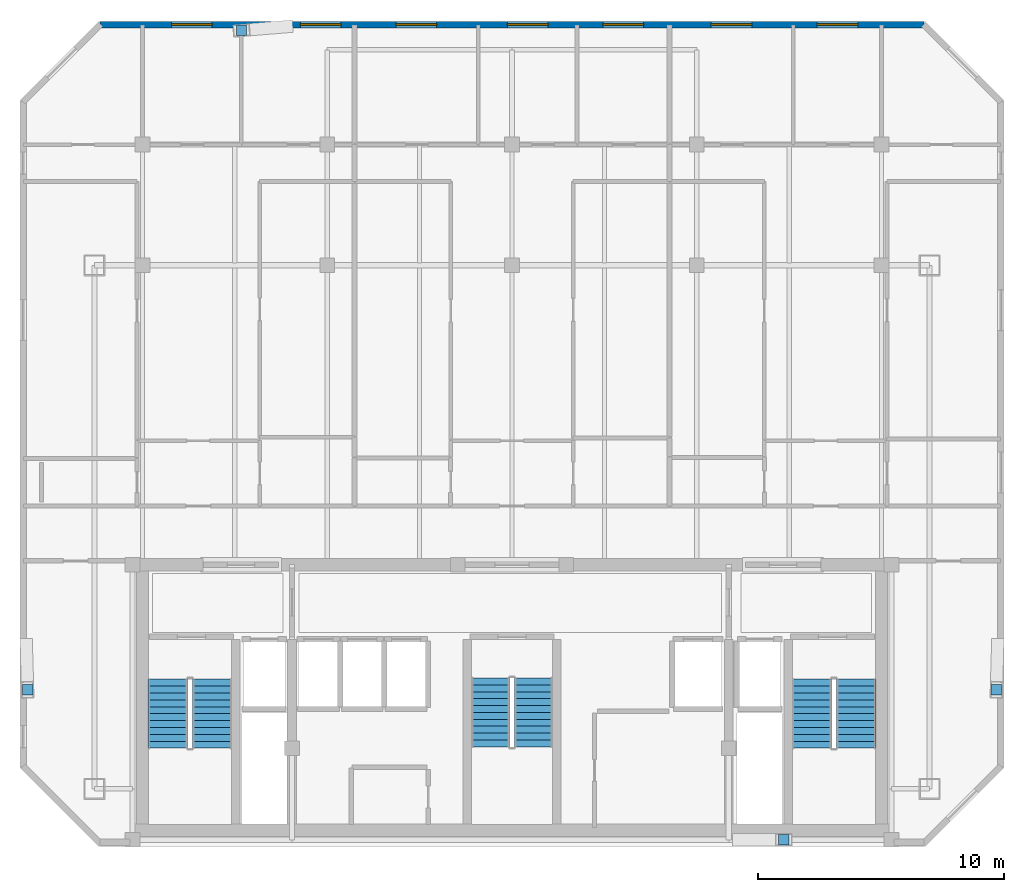
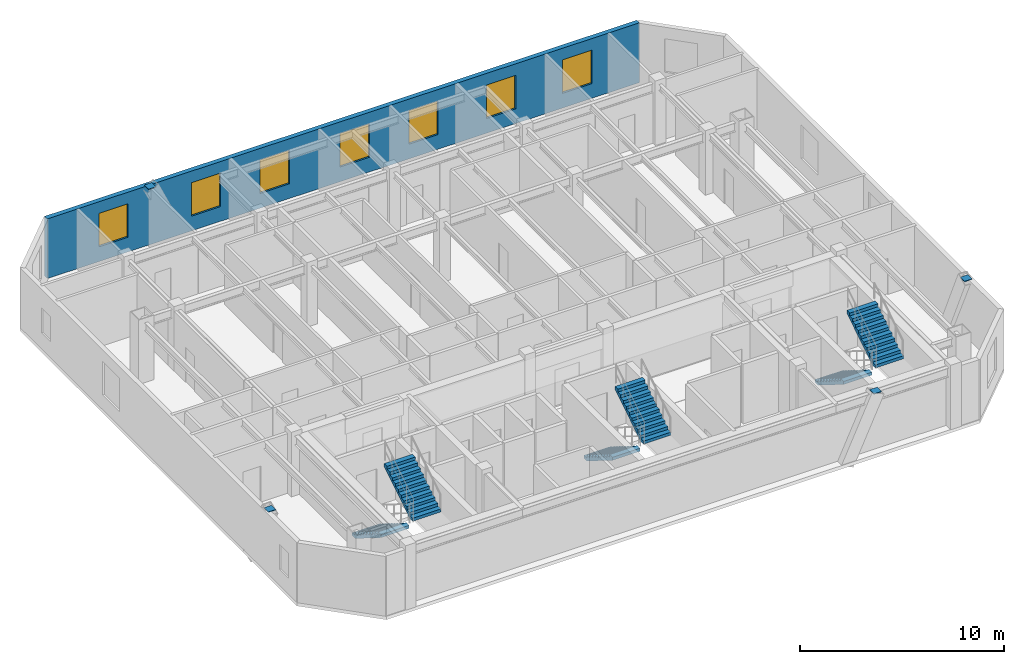
# One storey, part 6 of 7: 7 windows, 6 stair flights, 4 discrete accessories, 1 wall, 7 openings, 3 elements without a shape of their own.
"""IFC4 building model written with IfcOpenShell, lengths in metres."""

from ifc_helpers import new_model, si_unit, direction, frame, frame_2d, origin, origin_2d, place, context, subcontext, project, spatial, polyline, rectangle, outline, extrude, material, layer, layer_set, type_object, element, fill, aggregate, save


model = new_model("IFC4")

# Units and contexts
model_context = context("Model", 3, precision=1e-05, world=origin(), true_north=direction((0.0, 1.0)))
body_context = subcontext(model_context, "Body", "Model", "MODEL_VIEW")
ifc_project = project(units=[si_unit("LENGTHUNIT", "METRE"), si_unit("AREAUNIT", "SQUARE_METRE"), si_unit("VOLUMEUNIT", "CUBIC_METRE"), si_unit("PLANEANGLEUNIT", "RADIAN"), si_unit("MASSUNIT", "GRAM", prefix="KILO")], contexts=[model_context])

# Site, building, storey
site_placement = place(None, origin())
site = spatial("IfcSite", under=ifc_project, at=site_placement, CompositionType="ELEMENT")
building_placement = place(site_placement, origin())
building = spatial("IfcBuilding", under=site, at=building_placement, Name="Ventersveld Concourse Tower", CompositionType="ELEMENT")
storey_placement = place(building_placement, frame((0.0, 0.0, 304.14990234375)))
storey = spatial("IfcBuildingStorey", under=building, at=storey_placement, Name="L75", CompositionType="ELEMENT", Elevation=304.14990234375)

# Wall, openings, windows
ifc_material_1 = material(Name="Precast concrete C45/55", Category="concrete")
ifc_layer = layer(ifc_material_1, 0.260009765625)
ifc_layer_set = layer_set([ifc_layer], Name="Precast concrete C45/55")
wall_type = type_object("IfcWallType", Name="WL-PREC-260", PredefinedType="SOLIDWALL", material=ifc_layer_set)
wall_placement = place(storey_placement, frame((45.480224609375, 33.368896484375, 0.0), z_axis=(0.0, 0.0, 1.0), x_axis=(-1.0, 0.0, 0.0)))
wall = element("IfcWall", 1, at=wall_placement, inside=storey, type_object=wall_type, Name="L75 Highveld Precast Facade Wall E05", PredefinedType="SOLIDWALL", context=body_context, shape_type="SweptSolid", body=[
    extrude(rectangle(XDim=33.46044921875, YDim=0.260009765625, at=frame_2d((16.730224609375, 0.0))), origin(), (0.0, 0.0, 1.0), 3.570068359375),
])
opening_1_placement = place(wall_placement, frame((28.901611328125, 0.0, 0.8798828125)))
opening_1 = element("IfcOpeningElement", 2, at=opening_1_placement, cuts=wall, Name="Opening W6", PredefinedType="OPENING", context=body_context, shape_type="SweptSolid", body=[
    extrude(rectangle(XDim=1.64990234375, YDim=2.0, at=frame_2d((0.824951171875, 1.0))), frame((0.0, 0.14013671875, 0.0), z_axis=(0.0, -1.0, 0.0), x_axis=(1.0, 0.0, 0.0)), (0.0, 0.0, 1.0), 0.280029296875),
])
opening_2_placement = place(wall_placement, frame((23.67431640625, 0.0, 0.8798828125)))
opening_2 = element("IfcOpeningElement", 3, at=opening_2_placement, cuts=wall, Name="Opening W6", PredefinedType="OPENING", context=body_context, shape_type="SweptSolid", body=[
    extrude(rectangle(XDim=1.64990234375, YDim=2.0, at=frame_2d((0.824951171875, 1.0))), frame((0.0, 0.14013671875, 0.0), z_axis=(0.0, -1.0, 0.0), x_axis=(1.0, 0.0, 0.0)), (0.0, 0.0, 1.0), 0.280029296875),
])
opening_3_placement = place(wall_placement, frame((19.784912109375, 0.0, 0.8798828125)))
opening_3 = element("IfcOpeningElement", 4, at=opening_3_placement, cuts=wall, Name="Opening W6", PredefinedType="OPENING", context=body_context, shape_type="SweptSolid", body=[
    extrude(rectangle(XDim=1.64990234375, YDim=2.0, at=frame_2d((0.824951171875, 1.0))), frame((0.0, 0.14013671875, 0.0), z_axis=(0.0, -1.0, 0.0), x_axis=(1.0, 0.0, 0.0)), (0.0, 0.0, 1.0), 0.280029296875),
])
opening_4_placement = place(wall_placement, frame((15.267333984375, 0.0, 0.8798828125)))
opening_4 = element("IfcOpeningElement", 5, at=opening_4_placement, cuts=wall, Name="Opening W6", PredefinedType="OPENING", context=body_context, shape_type="SweptSolid", body=[
    extrude(rectangle(XDim=1.64990234375, YDim=2.0, at=frame_2d((0.824951171875, 1.0))), frame((0.0, 0.14013671875, 0.0), z_axis=(0.0, -1.0, 0.0), x_axis=(1.0, 0.0, 0.0)), (0.0, 0.0, 1.0), 0.280029296875),
])
opening_5_placement = place(wall_placement, frame((11.3876953125, 0.0, 0.8798828125)))
opening_5 = element("IfcOpeningElement", 6, at=opening_5_placement, cuts=wall, Name="Opening W6", PredefinedType="OPENING", context=body_context, shape_type="SweptSolid", body=[
    extrude(rectangle(XDim=1.64990234375, YDim=2.0, at=frame_2d((0.824951171875, 1.0))), frame((0.0, 0.14013671875, 0.0), z_axis=(0.0, -1.0, 0.0), x_axis=(1.0, 0.0, 0.0)), (0.0, 0.0, 1.0), 0.280029296875),
])
opening_6_placement = place(wall_placement, frame((6.997802734375, 0.0, 0.8798828125)))
opening_6 = element("IfcOpeningElement", 7, at=opening_6_placement, cuts=wall, Name="Opening W6", PredefinedType="OPENING", context=body_context, shape_type="SweptSolid", body=[
    extrude(rectangle(XDim=1.64990234375, YDim=2.0, at=frame_2d((0.824951171875, 1.0))), frame((0.0, 0.14013671875, 0.0), z_axis=(0.0, -1.0, 0.0), x_axis=(1.0, 0.0, 0.0)), (0.0, 0.0, 1.0), 0.280029296875),
])
opening_7_placement = place(wall_placement, frame((2.694580078125, 0.0, 0.8798828125)))
opening_7 = element("IfcOpeningElement", 8, at=opening_7_placement, cuts=wall, Name="Opening W6", PredefinedType="OPENING", context=body_context, shape_type="SweptSolid", body=[
    extrude(rectangle(XDim=1.64990234375, YDim=2.0, at=frame_2d((0.824951171875, 1.0))), frame((0.0, 0.14013671875, 0.0), z_axis=(0.0, -1.0, 0.0), x_axis=(1.0, 0.0, 0.0)), (0.0, 0.0, 1.0), 0.280029296875),
])
ifc_material_2 = material(Name="Tempered acoustic Low-E IGU", Category="glass")
window_type = type_object("IfcWindowType", Name="WIN-165x200", PartitioningType="SINGLE_PANEL", PredefinedType="WINDOW", material=ifc_material_2)
window_1_placement = place(opening_1_placement, origin())
window_1 = element("IfcWindow", 9, at=window_1_placement, inside=storey, type_object=window_type, Name="L75 Punched Low-E Window W-1067", OverallHeight=2.0, OverallWidth=1.64990234375, PartitioningType="SINGLE_PANEL", PredefinedType="WINDOW", context=body_context, shape_type="SweptSolid", body=[
    extrude(rectangle(XDim=1.64990234375, YDim=2.0, at=frame_2d((0.824951171875, 1.0))), frame((0.0, 0.030029296875, 0.0), z_axis=(0.0, -1.0, 0.0), x_axis=(1.0, 0.0, 0.0)), (0.0, 0.0, 1.0), 0.06005859375),
])
fill(opening_1, window_1)
window_2_placement = place(opening_2_placement, origin())
window_2 = element("IfcWindow", 10, at=window_2_placement, inside=storey, type_object=window_type, Name="L75 Punched Low-E Window W-1068", OverallHeight=2.0, OverallWidth=1.64990234375, PartitioningType="SINGLE_PANEL", PredefinedType="WINDOW", context=body_context, shape_type="SweptSolid", body=[
    extrude(rectangle(XDim=1.64990234375, YDim=2.0, at=frame_2d((0.824951171875, 1.0))), frame((0.0, 0.030029296875, 0.0), z_axis=(0.0, -1.0, 0.0), x_axis=(1.0, 0.0, 0.0)), (0.0, 0.0, 1.0), 0.06005859375),
])
fill(opening_2, window_2)
window_3_placement = place(opening_3_placement, origin())
window_3 = element("IfcWindow", 11, at=window_3_placement, inside=storey, type_object=window_type, Name="L75 Punched Low-E Window W-1069", OverallHeight=2.0, OverallWidth=1.64990234375, PartitioningType="SINGLE_PANEL", PredefinedType="WINDOW", context=body_context, shape_type="SweptSolid", body=[
    extrude(rectangle(XDim=1.64990234375, YDim=2.0, at=frame_2d((0.824951171875, 1.0))), frame((0.0, 0.030029296875, 0.0), z_axis=(0.0, -1.0, 0.0), x_axis=(1.0, 0.0, 0.0)), (0.0, 0.0, 1.0), 0.06005859375),
])
fill(opening_3, window_3)
window_4_placement = place(opening_4_placement, origin())
window_4 = element("IfcWindow", 12, at=window_4_placement, inside=storey, type_object=window_type, Name="L75 Punched Low-E Window W-1070", OverallHeight=2.0, OverallWidth=1.64990234375, PartitioningType="SINGLE_PANEL", PredefinedType="WINDOW", context=body_context, shape_type="SweptSolid", body=[
    extrude(rectangle(XDim=1.64990234375, YDim=2.0, at=frame_2d((0.824951171875, 1.0))), frame((0.0, 0.030029296875, 0.0), z_axis=(0.0, -1.0, 0.0), x_axis=(1.0, 0.0, 0.0)), (0.0, 0.0, 1.0), 0.06005859375),
])
fill(opening_4, window_4)
window_5_placement = place(opening_5_placement, origin())
window_5 = element("IfcWindow", 13, at=window_5_placement, inside=storey, type_object=window_type, Name="L75 Punched Low-E Window W-1071", OverallHeight=2.0, OverallWidth=1.64990234375, PartitioningType="SINGLE_PANEL", PredefinedType="WINDOW", context=body_context, shape_type="SweptSolid", body=[
    extrude(rectangle(XDim=1.64990234375, YDim=2.0, at=frame_2d((0.824951171875, 1.0))), frame((0.0, 0.030029296875, 0.0), z_axis=(0.0, -1.0, 0.0), x_axis=(1.0, 0.0, 0.0)), (0.0, 0.0, 1.0), 0.06005859375),
])
fill(opening_5, window_5)
window_6_placement = place(opening_6_placement, origin())
window_6 = element("IfcWindow", 14, at=window_6_placement, inside=storey, type_object=window_type, Name="L75 Punched Low-E Window W-1075", OverallHeight=2.0, OverallWidth=1.64990234375, PartitioningType="SINGLE_PANEL", PredefinedType="WINDOW", context=body_context, shape_type="SweptSolid", body=[
    extrude(rectangle(XDim=1.64990234375, YDim=2.0, at=frame_2d((0.824951171875, 1.0))), frame((0.0, 0.030029296875, 0.0), z_axis=(0.0, -1.0, 0.0), x_axis=(1.0, 0.0, 0.0)), (0.0, 0.0, 1.0), 0.06005859375),
])
fill(opening_6, window_6)
window_7_placement = place(opening_7_placement, origin())
window_7 = element("IfcWindow", 15, at=window_7_placement, inside=storey, type_object=window_type, Name="L75 Punched Low-E Window W-1076", OverallHeight=2.0, OverallWidth=1.64990234375, PartitioningType="SINGLE_PANEL", PredefinedType="WINDOW", context=body_context, shape_type="SweptSolid", body=[
    extrude(rectangle(XDim=1.64990234375, YDim=2.0, at=frame_2d((0.824951171875, 1.0))), frame((0.0, 0.030029296875, 0.0), z_axis=(0.0, -1.0, 0.0), x_axis=(1.0, 0.0, 0.0)), (0.0, 0.0, 1.0), 0.06005859375),
])
fill(opening_7, window_7)

# Stair, stair flights
ifc_material_3 = material(Name="Concrete C50/60", Category="concrete")
stair_type_1 = type_object("IfcStairType", Name="ST-DOG-155", PredefinedType="HALF_TURN_STAIR", material=ifc_material_3)
stair_1_placement = place(storey_placement, origin())
stair_1 = element("IfcStair", 16, at=stair_1_placement, inside=storey, type_object=stair_type_1, Name="L75 Protected Central Core Escape Stair ST-03", PredefinedType="HALF_TURN_STAIR")
stair_flight_type_1 = type_object("IfcStairFlightType", Name="STF-RC-155", PredefinedType="STRAIGHT", material=ifc_material_3)
stair_flight_1_placement = place(storey_placement, frame((27.875, 6.85009765625, 0.0), z_axis=(0.0, 0.0, 1.0), x_axis=(0.0, -1.0, 0.0)))
stair_flight_1 = element("IfcStairFlight", 17, at=stair_flight_1_placement, type_object=stair_flight_type_1, Name="ST-03 flight 1", NumberOfRisers=11, NumberOfTreads=10, PredefinedType="STRAIGHT", RiserHeight=0.175, TreadLength=0.28, context=body_context, shape_type="SweptSolid", body=[
    extrude(outline(polyline([(0.0, 0.0), (0.0, 0.175048828125), (0.280029296875, 0.175048828125), (0.280029296875, 0.35009765625), (0.56005859375, 0.35009765625), (0.56005859375, 0.52490234375), (0.840087890625, 0.52490234375), (0.840087890625, 0.699951171875), (1.1201171875, 0.699951171875), (1.1201171875, 0.875), (1.39990234375, 0.875), (1.39990234375, 1.050048828125), (1.679931640625, 1.050048828125), (1.679931640625, 1.22509765625), (1.9599609375, 1.22509765625), (1.9599609375, 1.39990234375), (2.239990234375, 1.39990234375), (2.239990234375, 1.574951171875), (2.52001953125, 1.574951171875), (2.52001953125, 1.75), (2.800048828125, 1.75), (2.800048828125, 1.925048828125), (2.800048828125, 1.5732421875), (0.28271484375, 0.0), (0.0, 0.0)])), frame((0.0, 0.77490234375, 0.0), z_axis=(0.0, -1.0, 0.0), x_axis=(1.0, 0.0, 0.0)), (0.0, 0.0, 1.0), 1.550048828125),
])
stair_flight_2_placement = place(storey_placement, frame((29.625, 4.050048828125, 1.925048828125), z_axis=(0.0, 0.0, 1.0), x_axis=(0.0, 1.0, 0.0)))
stair_flight_2 = element("IfcStairFlight", 18, at=stair_flight_2_placement, type_object=stair_flight_type_1, Name="ST-03 flight 2", NumberOfRisers=11, NumberOfTreads=10, PredefinedType="STRAIGHT", RiserHeight=0.175, TreadLength=0.28, context=body_context, shape_type="SweptSolid", body=[
    extrude(outline(polyline([(0.0, 0.0), (0.0, 0.175048828125), (0.280029296875, 0.175048828125), (0.280029296875, 0.35009765625), (0.56005859375, 0.35009765625), (0.56005859375, 0.52490234375), (0.840087890625, 0.52490234375), (0.840087890625, 0.699951171875), (1.1201171875, 0.699951171875), (1.1201171875, 0.875), (1.39990234375, 0.875), (1.39990234375, 1.050048828125), (1.679931640625, 1.050048828125), (1.679931640625, 1.22509765625), (1.9599609375, 1.22509765625), (1.9599609375, 1.39990234375), (2.239990234375, 1.39990234375), (2.239990234375, 1.574951171875), (2.52001953125, 1.574951171875), (2.52001953125, 1.75), (2.800048828125, 1.75), (2.800048828125, 1.925048828125), (2.800048828125, 1.5732421875), (0.28271484375, 0.0), (0.0, 0.0)])), frame((0.0, 0.77490234375, 0.0), z_axis=(0.0, -1.0, 0.0), x_axis=(1.0, 0.0, 0.0)), (0.0, 0.0, 1.0), 1.550048828125),
])
aggregate(stair_1, [stair_flight_1, stair_flight_2])

stair_type_2 = type_object("IfcStairType", Name="ST-DOG-160", PredefinedType="HALF_TURN_STAIR", material=ifc_material_3)
stair_2_placement = place(storey_placement, origin())
stair_2 = element("IfcStair", 19, at=stair_2_placement, inside=storey, type_object=stair_type_2, Name="L75 Protected Tower Escape Stair ST-01", PredefinedType="HALF_TURN_STAIR")
stair_flight_type_2 = type_object("IfcStairFlightType", Name="STF-RC-160", PredefinedType="STRAIGHT", material=ifc_material_3)
stair_flight_3_placement = place(storey_placement, frame((14.780029296875, 6.800048828125, 0.0), z_axis=(0.0, 0.0, 1.0), x_axis=(0.0, -1.0, 0.0)))
stair_flight_3 = element("IfcStairFlight", 20, at=stair_flight_3_placement, type_object=stair_flight_type_2, Name="ST-01 flight 1", NumberOfRisers=11, NumberOfTreads=10, PredefinedType="STRAIGHT", RiserHeight=0.175, TreadLength=0.28, context=body_context, shape_type="SweptSolid", body=[
    extrude(outline(polyline([(0.0, 0.0), (0.0, 0.175048828125), (0.280029296875, 0.175048828125), (0.280029296875, 0.35009765625), (0.56005859375, 0.35009765625), (0.56005859375, 0.52490234375), (0.840087890625, 0.52490234375), (0.840087890625, 0.699951171875), (1.1201171875, 0.699951171875), (1.1201171875, 0.875), (1.39990234375, 0.875), (1.39990234375, 1.050048828125), (1.679931640625, 1.050048828125), (1.679931640625, 1.22509765625), (1.9599609375, 1.22509765625), (1.9599609375, 1.39990234375), (2.239990234375, 1.39990234375), (2.239990234375, 1.574951171875), (2.52001953125, 1.574951171875), (2.52001953125, 1.75), (2.800048828125, 1.75), (2.800048828125, 1.925048828125), (2.800048828125, 1.5732421875), (0.28271484375, 0.0), (0.0, 0.0)])), frame((0.0, 0.800048828125, 0.0), z_axis=(0.0, -1.0, 0.0), x_axis=(1.0, 0.0, 0.0)), (0.0, 0.0, 1.0), 1.60009765625),
])
stair_flight_4_placement = place(storey_placement, frame((16.580078125, 4.0, 1.925048828125), z_axis=(0.0, 0.0, 1.0), x_axis=(0.0, 1.0, 0.0)))
stair_flight_4 = element("IfcStairFlight", 21, at=stair_flight_4_placement, type_object=stair_flight_type_2, Name="ST-01 flight 2", NumberOfRisers=11, NumberOfTreads=10, PredefinedType="STRAIGHT", RiserHeight=0.175, TreadLength=0.28, context=body_context, shape_type="SweptSolid", body=[
    extrude(outline(polyline([(0.0, 0.0), (0.0, 0.175048828125), (0.280029296875, 0.175048828125), (0.280029296875, 0.35009765625), (0.56005859375, 0.35009765625), (0.56005859375, 0.52490234375), (0.840087890625, 0.52490234375), (0.840087890625, 0.699951171875), (1.1201171875, 0.699951171875), (1.1201171875, 0.875), (1.39990234375, 0.875), (1.39990234375, 1.050048828125), (1.679931640625, 1.050048828125), (1.679931640625, 1.22509765625), (1.9599609375, 1.22509765625), (1.9599609375, 1.39990234375), (2.239990234375, 1.39990234375), (2.239990234375, 1.574951171875), (2.52001953125, 1.574951171875), (2.52001953125, 1.75), (2.800048828125, 1.75), (2.800048828125, 1.925048828125), (2.800048828125, 1.5732421875), (0.28271484375, 0.0), (0.0, 0.0)])), frame((0.0, 0.800048828125, 0.0), z_axis=(0.0, -1.0, 0.0), x_axis=(1.0, 0.0, 0.0)), (0.0, 0.0, 1.0), 1.60009765625),
])
aggregate(stair_2, [stair_flight_3, stair_flight_4])

stair_3_placement = place(storey_placement, origin())
stair_3 = element("IfcStair", 22, at=stair_3_placement, inside=storey, type_object=stair_type_2, Name="L75 Protected Tower Escape Stair ST-02", PredefinedType="HALF_TURN_STAIR")
stair_flight_5_placement = place(storey_placement, frame((40.919921875, 6.800048828125, 0.0), z_axis=(0.0, 0.0, 1.0), x_axis=(0.0, -1.0, 0.0)))
stair_flight_5 = element("IfcStairFlight", 23, at=stair_flight_5_placement, type_object=stair_flight_type_2, Name="ST-02 flight 1", NumberOfRisers=11, NumberOfTreads=10, PredefinedType="STRAIGHT", RiserHeight=0.175, TreadLength=0.28, context=body_context, shape_type="SweptSolid", body=[
    extrude(outline(polyline([(0.0, 0.0), (0.0, 0.175048828125), (0.280029296875, 0.175048828125), (0.280029296875, 0.35009765625), (0.56005859375, 0.35009765625), (0.56005859375, 0.52490234375), (0.840087890625, 0.52490234375), (0.840087890625, 0.699951171875), (1.1201171875, 0.699951171875), (1.1201171875, 0.875), (1.39990234375, 0.875), (1.39990234375, 1.050048828125), (1.679931640625, 1.050048828125), (1.679931640625, 1.22509765625), (1.9599609375, 1.22509765625), (1.9599609375, 1.39990234375), (2.239990234375, 1.39990234375), (2.239990234375, 1.574951171875), (2.52001953125, 1.574951171875), (2.52001953125, 1.75), (2.800048828125, 1.75), (2.800048828125, 1.925048828125), (2.800048828125, 1.5732421875), (0.28271484375, 0.0), (0.0, 0.0)])), frame((0.0, 0.800048828125, 0.0), z_axis=(0.0, -1.0, 0.0), x_axis=(1.0, 0.0, 0.0)), (0.0, 0.0, 1.0), 1.60009765625),
])
stair_flight_6_placement = place(storey_placement, frame((42.719970703125, 4.0, 1.925048828125), z_axis=(0.0, 0.0, 1.0), x_axis=(0.0, 1.0, 0.0)))
stair_flight_6 = element("IfcStairFlight", 24, at=stair_flight_6_placement, type_object=stair_flight_type_2, Name="ST-02 flight 2", NumberOfRisers=11, NumberOfTreads=10, PredefinedType="STRAIGHT", RiserHeight=0.175, TreadLength=0.28, context=body_context, shape_type="SweptSolid", body=[
    extrude(outline(polyline([(0.0, 0.0), (0.0, 0.175048828125), (0.280029296875, 0.175048828125), (0.280029296875, 0.35009765625), (0.56005859375, 0.35009765625), (0.56005859375, 0.52490234375), (0.840087890625, 0.52490234375), (0.840087890625, 0.699951171875), (1.1201171875, 0.699951171875), (1.1201171875, 0.875), (1.39990234375, 0.875), (1.39990234375, 1.050048828125), (1.679931640625, 1.050048828125), (1.679931640625, 1.22509765625), (1.9599609375, 1.22509765625), (1.9599609375, 1.39990234375), (2.239990234375, 1.39990234375), (2.239990234375, 1.574951171875), (2.52001953125, 1.574951171875), (2.52001953125, 1.75), (2.800048828125, 1.75), (2.800048828125, 1.925048828125), (2.800048828125, 1.5732421875), (0.28271484375, 0.0), (0.0, 0.0)])), frame((0.0, 0.800048828125, 0.0), z_axis=(0.0, -1.0, 0.0), x_axis=(1.0, 0.0, 0.0)), (0.0, 0.0, 1.0), 1.60009765625),
])
aggregate(stair_3, [stair_flight_5, stair_flight_6])

# Discrete accessories
ifc_material_4 = material(Name="Structural steel S355J2", Category="steel")
discrete_accessory_type = type_object("IfcDiscreteAccessoryType", Name="CONN-BRACE-ECP1", PredefinedType="BRACKET", material=ifc_material_4)
for number, where, z_axis, x_axis, name in (
    (25, (17.77099609375, 33.13818359375, 3.550048828125), (0.0, 0.0, 1.0), (1.0, 0.0, 0.0), "L75 Steel Brace End Connection Plate ECP1-0485"),
    (26, (39.77880859375, 0.280029296875, 3.550048828125), (0.0, 0.0, 1.0), (1.0, 0.0, 0.0), "L75 Steel Brace End Connection Plate ECP1-0489"),
    (27, (9.08740234375, 6.37109375, 3.550048828125), (0.0, 0.0, 1.0), (1.0, 0.0, 0.0), "L75 Steel Brace End Connection Plate ECP1-0493"),
    (28, (48.41259765625, 6.37109375, 3.550048828125), (0.0, 0.0, 1.0), (1.0, 0.0, 0.0), "L75 Steel Brace End Connection Plate ECP1-0497"),
):
    element("IfcDiscreteAccessory", number, at=place(storey_placement, frame(where, z_axis=z_axis, x_axis=x_axis)), inside=storey, type_object=discrete_accessory_type, Name=name, PredefinedType="BRACKET", context=body_context, shape_type="SweptSolid", body=[
        extrude(rectangle(XDim=0.419921875, YDim=0.419921875, at=origin_2d()), origin(), (0.0, 0.0, 1.0), 0.0400390625),
    ])

save(model, "model.ifc")
